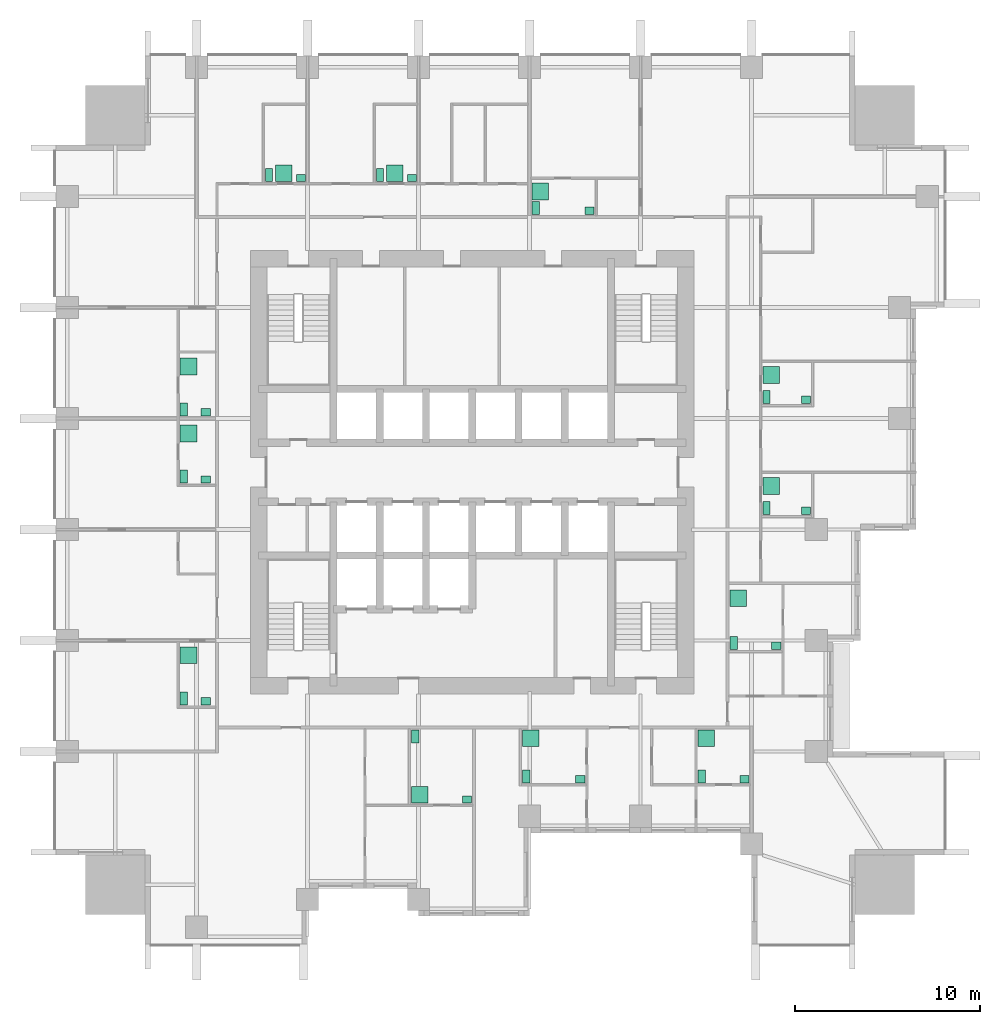
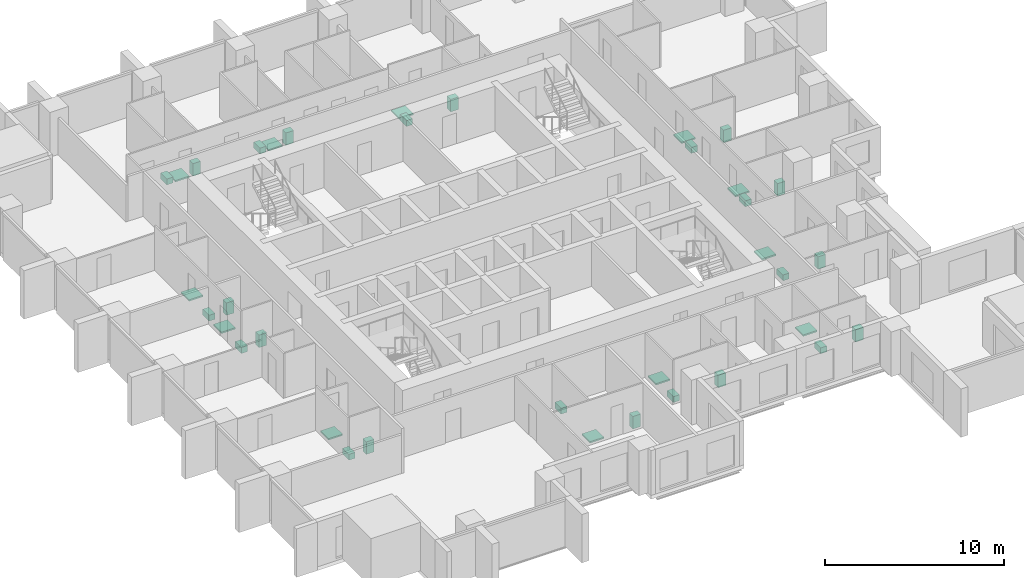
# One storey, part 10 of 10: 36 sanitary terminals.
"""IFC4 building model written with IfcOpenShell, lengths in metres."""

from ifc_helpers import new_model, si_unit, direction, frame, origin, origin_2d, place, context, subcontext, project, spatial, rectangle, extrude, element, save


model = new_model("IFC4")

# Units and contexts
model_context = context("Model", 3, precision=1e-05, world=origin(), true_north=direction((0.0, 1.0)))
body_context = subcontext(model_context, "Body", "Model", "MODEL_VIEW")
ifc_project = project(units=[si_unit("LENGTHUNIT", "METRE"), si_unit("AREAUNIT", "SQUARE_METRE"), si_unit("VOLUMEUNIT", "CUBIC_METRE"), si_unit("PLANEANGLEUNIT", "RADIAN"), si_unit("MASSUNIT", "GRAM", prefix="KILO")], contexts=[model_context])

# Site, building, storey
site_placement = place(None, origin())
site = spatial("IfcSite", under=ifc_project, at=site_placement, CompositionType="ELEMENT")
building_placement = place(site_placement, origin())
building = spatial("IfcBuilding", under=site, at=building_placement, Name="Amberfall Residences", CompositionType="ELEMENT")
storey_placement = place(building_placement, frame((0.0, 0.0, 46.60009765625)))
storey = spatial("IfcBuildingStorey", under=building, at=storey_placement, Name="L12", CompositionType="ELEMENT", Elevation=46.60009765625)

# Sanitary terminals
sanitary_terminal_1_placement = place(storey_placement, frame((71.409912109375, 31.215087890625, 0.0), z_axis=(0.0, 0.0, 1.0), x_axis=(1.0, 0.0, 0.0)))
element("IfcSanitaryTerminal", 1, at=sanitary_terminal_1_placement, inside=storey, Name="Water closet 1201", PredefinedType="TOILETPAN", context=body_context, shape_type="SweptSolid", body=[
    extrude(rectangle(XDim=0.39990234375, YDim=0.699951171875, at=origin_2d()), origin(), (0.0, 0.0, 1.0), 0.39990234375),
])
sanitary_terminal_2_placement = place(storey_placement, frame((74.215087890625, 27.81005859375, -0.000244140625), z_axis=(0.0, 0.0, 1.0), x_axis=(1.0, 0.0, 0.0)))
element("IfcSanitaryTerminal", 2, at=sanitary_terminal_2_placement, inside=storey, Name="Basin 1201", PredefinedType="WASHHANDBASIN", context=body_context, shape_type="SweptSolid", body=[
    extrude(rectangle(XDim=0.5, YDim=0.39990234375, at=origin_2d()), origin(), (0.0, 0.0, 1.0), 0.85009765625),
])
sanitary_terminal_3_placement = place(storey_placement, frame((71.659912109375, 28.06005859375, -0.000244140625), z_axis=(0.0, 0.0, 1.0), x_axis=(1.0, 0.0, 0.0)))
element("IfcSanitaryTerminal", 3, at=sanitary_terminal_3_placement, inside=storey, Name="Shower tray 1201", PredefinedType="SHOWER", context=body_context, shape_type="SweptSolid", body=[
    extrude(rectangle(XDim=0.89990234375, YDim=0.89990234375, at=origin_2d()), origin(), (0.0, 0.0, 1.0), 0.10009765625),
])
sanitary_terminal_4_placement = place(storey_placement, frame((77.409912109375, 29.06005859375, 0.0), z_axis=(0.0, 0.0, 1.0), x_axis=(1.0, 0.0, 0.0)))
element("IfcSanitaryTerminal", 4, at=sanitary_terminal_4_placement, inside=storey, Name="Water closet 1202", PredefinedType="TOILETPAN", context=body_context, shape_type="SweptSolid", body=[
    extrude(rectangle(XDim=0.39990234375, YDim=0.699951171875, at=origin_2d()), origin(), (0.0, 0.0, 1.0), 0.39990234375),
])
sanitary_terminal_5_placement = place(storey_placement, frame((80.340087890625, 28.909912109375, -0.000244140625), z_axis=(0.0, 0.0, 1.0), x_axis=(1.0, 0.0, 0.0)))
element("IfcSanitaryTerminal", 5, at=sanitary_terminal_5_placement, inside=storey, Name="Basin 1202", PredefinedType="WASHHANDBASIN", context=body_context, shape_type="SweptSolid", body=[
    extrude(rectangle(XDim=0.5, YDim=0.39990234375, at=origin_2d()), origin(), (0.0, 0.0, 1.0), 0.85009765625),
])
sanitary_terminal_6_placement = place(storey_placement, frame((77.659912109375, 31.114990234375, -0.000244140625), z_axis=(0.0, 0.0, 1.0), x_axis=(1.0, 0.0, 0.0)))
element("IfcSanitaryTerminal", 6, at=sanitary_terminal_6_placement, inside=storey, Name="Shower tray 1202", PredefinedType="SHOWER", context=body_context, shape_type="SweptSolid", body=[
    extrude(rectangle(XDim=0.89990234375, YDim=0.89990234375, at=origin_2d()), origin(), (0.0, 0.0, 1.0), 0.10009765625),
])
sanitary_terminal_7_placement = place(storey_placement, frame((86.909912109375, 29.06005859375, 0.0), z_axis=(0.0, 0.0, 1.0), x_axis=(1.0, 0.0, 0.0)))
element("IfcSanitaryTerminal", 7, at=sanitary_terminal_7_placement, inside=storey, Name="Water closet 1202", PredefinedType="TOILETPAN", context=body_context, shape_type="SweptSolid", body=[
    extrude(rectangle(XDim=0.39990234375, YDim=0.699951171875, at=origin_2d()), origin(), (0.0, 0.0, 1.0), 0.39990234375),
])
sanitary_terminal_8_placement = place(storey_placement, frame((89.215087890625, 28.909912109375, -0.000244140625), z_axis=(0.0, 0.0, 1.0), x_axis=(1.0, 0.0, 0.0)))
element("IfcSanitaryTerminal", 8, at=sanitary_terminal_8_placement, inside=storey, Name="Basin 1202", PredefinedType="WASHHANDBASIN", context=body_context, shape_type="SweptSolid", body=[
    extrude(rectangle(XDim=0.5, YDim=0.39990234375, at=origin_2d()), origin(), (0.0, 0.0, 1.0), 0.85009765625),
])
sanitary_terminal_9_placement = place(storey_placement, frame((87.159912109375, 31.114990234375, -0.000244140625), z_axis=(0.0, 0.0, 1.0), x_axis=(1.0, 0.0, 0.0)))
element("IfcSanitaryTerminal", 9, at=sanitary_terminal_9_placement, inside=storey, Name="Shower tray 1202", PredefinedType="SHOWER", context=body_context, shape_type="SweptSolid", body=[
    extrude(rectangle(XDim=0.89990234375, YDim=0.89990234375, at=origin_2d()), origin(), (0.0, 0.0, 1.0), 0.10009765625),
])
sanitary_terminal_10_placement = place(storey_placement, frame((88.635009765625, 36.260009765625, 0.0), z_axis=(0.0, 0.0, 1.0), x_axis=(1.0, 0.0, 0.0)))
element("IfcSanitaryTerminal", 10, at=sanitary_terminal_10_placement, inside=storey, Name="Water closet 1203", PredefinedType="TOILETPAN", context=body_context, shape_type="SweptSolid", body=[
    extrude(rectangle(XDim=0.39990234375, YDim=0.699951171875, at=origin_2d()), origin(), (0.0, 0.0, 1.0), 0.39990234375),
])
sanitary_terminal_11_placement = place(storey_placement, frame((90.93994140625, 36.110107421875, -0.000244140625), z_axis=(0.0, 0.0, 1.0), x_axis=(1.0, 0.0, 0.0)))
element("IfcSanitaryTerminal", 11, at=sanitary_terminal_11_placement, inside=storey, Name="Basin 1203", PredefinedType="WASHHANDBASIN", context=body_context, shape_type="SweptSolid", body=[
    extrude(rectangle(XDim=0.5, YDim=0.39990234375, at=origin_2d()), origin(), (0.0, 0.0, 1.0), 0.85009765625),
])
sanitary_terminal_12_placement = place(storey_placement, frame((88.885009765625, 38.6826171875, -0.000244140625), z_axis=(0.0, 0.0, 1.0), x_axis=(1.0, 0.0, 0.0)))
element("IfcSanitaryTerminal", 12, at=sanitary_terminal_12_placement, inside=storey, Name="Shower tray 1203", PredefinedType="SHOWER", context=body_context, shape_type="SweptSolid", body=[
    extrude(rectangle(XDim=0.89990234375, YDim=0.89990234375, at=origin_2d()), origin(), (0.0, 0.0, 1.0), 0.10009765625),
])
sanitary_terminal_13_placement = place(storey_placement, frame((90.409912109375, 43.56005859375, 0.0), z_axis=(0.0, 0.0, 1.0), x_axis=(1.0, 0.0, 0.0)))
element("IfcSanitaryTerminal", 13, at=sanitary_terminal_13_placement, inside=storey, Name="Water closet 1204", PredefinedType="TOILETPAN", context=body_context, shape_type="SweptSolid", body=[
    extrude(rectangle(XDim=0.39990234375, YDim=0.699951171875, at=origin_2d()), origin(), (0.0, 0.0, 1.0), 0.39990234375),
])
sanitary_terminal_14_placement = place(storey_placement, frame((92.5400390625, 43.409912109375, -0.000244140625), z_axis=(0.0, 0.0, 1.0), x_axis=(1.0, 0.0, 0.0)))
element("IfcSanitaryTerminal", 14, at=sanitary_terminal_14_placement, inside=storey, Name="Basin 1204", PredefinedType="WASHHANDBASIN", context=body_context, shape_type="SweptSolid", body=[
    extrude(rectangle(XDim=0.5, YDim=0.39990234375, at=origin_2d()), origin(), (0.0, 0.0, 1.0), 0.85009765625),
])
sanitary_terminal_15_placement = place(storey_placement, frame((90.659912109375, 44.757080078125, -0.000244140625), z_axis=(0.0, 0.0, 1.0), x_axis=(1.0, 0.0, 0.0)))
element("IfcSanitaryTerminal", 15, at=sanitary_terminal_15_placement, inside=storey, Name="Shower tray 1204", PredefinedType="SHOWER", context=body_context, shape_type="SweptSolid", body=[
    extrude(rectangle(XDim=0.89990234375, YDim=0.89990234375, at=origin_2d()), origin(), (0.0, 0.0, 1.0), 0.10009765625),
])
sanitary_terminal_16_placement = place(storey_placement, frame((90.409912109375, 49.56005859375, 0.0), z_axis=(0.0, 0.0, 1.0), x_axis=(1.0, 0.0, 0.0)))
element("IfcSanitaryTerminal", 16, at=sanitary_terminal_16_placement, inside=storey, Name="Water closet 1204", PredefinedType="TOILETPAN", context=body_context, shape_type="SweptSolid", body=[
    extrude(rectangle(XDim=0.39990234375, YDim=0.699951171875, at=origin_2d()), origin(), (0.0, 0.0, 1.0), 0.39990234375),
])
sanitary_terminal_17_placement = place(storey_placement, frame((92.5400390625, 49.409912109375, -0.000244140625), z_axis=(0.0, 0.0, 1.0), x_axis=(1.0, 0.0, 0.0)))
element("IfcSanitaryTerminal", 17, at=sanitary_terminal_17_placement, inside=storey, Name="Basin 1204", PredefinedType="WASHHANDBASIN", context=body_context, shape_type="SweptSolid", body=[
    extrude(rectangle(XDim=0.5, YDim=0.39990234375, at=origin_2d()), origin(), (0.0, 0.0, 1.0), 0.85009765625),
])
sanitary_terminal_18_placement = place(storey_placement, frame((90.659912109375, 50.757080078125, -0.000244140625), z_axis=(0.0, 0.0, 1.0), x_axis=(1.0, 0.0, 0.0)))
element("IfcSanitaryTerminal", 18, at=sanitary_terminal_18_placement, inside=storey, Name="Shower tray 1204", PredefinedType="SHOWER", context=body_context, shape_type="SweptSolid", body=[
    extrude(rectangle(XDim=0.89990234375, YDim=0.89990234375, at=origin_2d()), origin(), (0.0, 0.0, 1.0), 0.10009765625),
])
sanitary_terminal_19_placement = place(storey_placement, frame((63.510009765625, 61.56005859375, 0.0), z_axis=(0.0, 0.0, 1.0), x_axis=(1.0, 0.0, 0.0)))
element("IfcSanitaryTerminal", 19, at=sanitary_terminal_19_placement, inside=storey, Name="Water closet 1205", PredefinedType="TOILETPAN", context=body_context, shape_type="SweptSolid", body=[
    extrude(rectangle(XDim=0.39990234375, YDim=0.699951171875, at=origin_2d()), origin(), (0.0, 0.0, 1.0), 0.39990234375),
])
sanitary_terminal_20_placement = place(storey_placement, frame((65.239990234375, 61.409912109375, -0.000244140625), z_axis=(0.0, 0.0, 1.0), x_axis=(1.0, 0.0, 0.0)))
element("IfcSanitaryTerminal", 20, at=sanitary_terminal_20_placement, inside=storey, Name="Basin 1205", PredefinedType="WASHHANDBASIN", context=body_context, shape_type="SweptSolid", body=[
    extrude(rectangle(XDim=0.5, YDim=0.39990234375, at=origin_2d()), origin(), (0.0, 0.0, 1.0), 0.85009765625),
])
sanitary_terminal_21_placement = place(storey_placement, frame((64.30859375, 61.659912109375, -0.000244140625), z_axis=(0.0, 0.0, 1.0), x_axis=(1.0, 0.0, 0.0)))
element("IfcSanitaryTerminal", 21, at=sanitary_terminal_21_placement, inside=storey, Name="Shower tray 1205", PredefinedType="SHOWER", context=body_context, shape_type="SweptSolid", body=[
    extrude(rectangle(XDim=0.89990234375, YDim=0.89990234375, at=origin_2d()), origin(), (0.0, 0.0, 1.0), 0.10009765625),
])
sanitary_terminal_22_placement = place(storey_placement, frame((69.510009765625, 61.56005859375, 0.0), z_axis=(0.0, 0.0, 1.0), x_axis=(1.0, 0.0, 0.0)))
element("IfcSanitaryTerminal", 22, at=sanitary_terminal_22_placement, inside=storey, Name="Water closet 1205", PredefinedType="TOILETPAN", context=body_context, shape_type="SweptSolid", body=[
    extrude(rectangle(XDim=0.39990234375, YDim=0.699951171875, at=origin_2d()), origin(), (0.0, 0.0, 1.0), 0.39990234375),
])
sanitary_terminal_23_placement = place(storey_placement, frame((71.239990234375, 61.409912109375, -0.000244140625), z_axis=(0.0, 0.0, 1.0), x_axis=(1.0, 0.0, 0.0)))
element("IfcSanitaryTerminal", 23, at=sanitary_terminal_23_placement, inside=storey, Name="Basin 1205", PredefinedType="WASHHANDBASIN", context=body_context, shape_type="SweptSolid", body=[
    extrude(rectangle(XDim=0.5, YDim=0.39990234375, at=origin_2d()), origin(), (0.0, 0.0, 1.0), 0.85009765625),
])
sanitary_terminal_24_placement = place(storey_placement, frame((70.30859375, 61.659912109375, -0.000244140625), z_axis=(0.0, 0.0, 1.0), x_axis=(1.0, 0.0, 0.0)))
element("IfcSanitaryTerminal", 24, at=sanitary_terminal_24_placement, inside=storey, Name="Shower tray 1205", PredefinedType="SHOWER", context=body_context, shape_type="SweptSolid", body=[
    extrude(rectangle(XDim=0.89990234375, YDim=0.89990234375, at=origin_2d()), origin(), (0.0, 0.0, 1.0), 0.10009765625),
])
sanitary_terminal_25_placement = place(storey_placement, frame((77.93505859375, 59.784912109375, 0.0), z_axis=(0.0, 0.0, 1.0), x_axis=(1.0, 0.0, 0.0)))
element("IfcSanitaryTerminal", 25, at=sanitary_terminal_25_placement, inside=storey, Name="Water closet 1206", PredefinedType="TOILETPAN", context=body_context, shape_type="SweptSolid", body=[
    extrude(rectangle(XDim=0.39990234375, YDim=0.699951171875, at=origin_2d()), origin(), (0.0, 0.0, 1.0), 0.39990234375),
])
sanitary_terminal_26_placement = place(storey_placement, frame((80.840087890625, 59.635009765625, -0.000244140625), z_axis=(0.0, 0.0, 1.0), x_axis=(1.0, 0.0, 0.0)))
element("IfcSanitaryTerminal", 26, at=sanitary_terminal_26_placement, inside=storey, Name="Basin 1206", PredefinedType="WASHHANDBASIN", context=body_context, shape_type="SweptSolid", body=[
    extrude(rectangle(XDim=0.5, YDim=0.39990234375, at=origin_2d()), origin(), (0.0, 0.0, 1.0), 0.85009765625),
])
sanitary_terminal_27_placement = place(storey_placement, frame((78.18505859375, 60.680908203125, -0.000244140625), z_axis=(0.0, 0.0, 1.0), x_axis=(1.0, 0.0, 0.0)))
element("IfcSanitaryTerminal", 27, at=sanitary_terminal_27_placement, inside=storey, Name="Shower tray 1206", PredefinedType="SHOWER", context=body_context, shape_type="SweptSolid", body=[
    extrude(rectangle(XDim=0.89990234375, YDim=0.89990234375, at=origin_2d()), origin(), (0.0, 0.0, 1.0), 0.10009765625),
])
sanitary_terminal_28_placement = place(storey_placement, frame((58.909912109375, 33.260009765625, 0.0), z_axis=(0.0, 0.0, 1.0), x_axis=(1.0, 0.0, 0.0)))
element("IfcSanitaryTerminal", 28, at=sanitary_terminal_28_placement, inside=storey, Name="Water closet 1207", PredefinedType="TOILETPAN", context=body_context, shape_type="SweptSolid", body=[
    extrude(rectangle(XDim=0.39990234375, YDim=0.699951171875, at=origin_2d()), origin(), (0.0, 0.0, 1.0), 0.39990234375),
])
sanitary_terminal_29_placement = place(storey_placement, frame((60.089111328125, 33.110107421875, -0.000244140625), z_axis=(0.0, 0.0, 1.0), x_axis=(1.0, 0.0, 0.0)))
element("IfcSanitaryTerminal", 29, at=sanitary_terminal_29_placement, inside=storey, Name="Basin 1207", PredefinedType="WASHHANDBASIN", context=body_context, shape_type="SweptSolid", body=[
    extrude(rectangle(XDim=0.5, YDim=0.39990234375, at=origin_2d()), origin(), (0.0, 0.0, 1.0), 0.85009765625),
])
sanitary_terminal_30_placement = place(storey_placement, frame((59.159912109375, 35.614501953125, -0.000244140625), z_axis=(0.0, 0.0, 1.0), x_axis=(1.0, 0.0, 0.0)))
element("IfcSanitaryTerminal", 30, at=sanitary_terminal_30_placement, inside=storey, Name="Shower tray 1207", PredefinedType="SHOWER", context=body_context, shape_type="SweptSolid", body=[
    extrude(rectangle(XDim=0.89990234375, YDim=0.89990234375, at=origin_2d()), origin(), (0.0, 0.0, 1.0), 0.10009765625),
])
sanitary_terminal_31_placement = place(storey_placement, frame((58.909912109375, 45.260009765625, 0.0), z_axis=(0.0, 0.0, 1.0), x_axis=(1.0, 0.0, 0.0)))
element("IfcSanitaryTerminal", 31, at=sanitary_terminal_31_placement, inside=storey, Name="Water closet 1207", PredefinedType="TOILETPAN", context=body_context, shape_type="SweptSolid", body=[
    extrude(rectangle(XDim=0.39990234375, YDim=0.699951171875, at=origin_2d()), origin(), (0.0, 0.0, 1.0), 0.39990234375),
])
sanitary_terminal_32_placement = place(storey_placement, frame((60.089111328125, 45.110107421875, -0.000244140625), z_axis=(0.0, 0.0, 1.0), x_axis=(1.0, 0.0, 0.0)))
element("IfcSanitaryTerminal", 32, at=sanitary_terminal_32_placement, inside=storey, Name="Basin 1207", PredefinedType="WASHHANDBASIN", context=body_context, shape_type="SweptSolid", body=[
    extrude(rectangle(XDim=0.5, YDim=0.39990234375, at=origin_2d()), origin(), (0.0, 0.0, 1.0), 0.85009765625),
])
sanitary_terminal_33_placement = place(storey_placement, frame((59.159912109375, 47.591796875, -0.000244140625), z_axis=(0.0, 0.0, 1.0), x_axis=(1.0, 0.0, 0.0)))
element("IfcSanitaryTerminal", 33, at=sanitary_terminal_33_placement, inside=storey, Name="Shower tray 1207", PredefinedType="SHOWER", context=body_context, shape_type="SweptSolid", body=[
    extrude(rectangle(XDim=0.89990234375, YDim=0.89990234375, at=origin_2d()), origin(), (0.0, 0.0, 1.0), 0.10009765625),
])
sanitary_terminal_34_placement = place(storey_placement, frame((58.909912109375, 48.885009765625, 0.0), z_axis=(0.0, 0.0, 1.0), x_axis=(1.0, 0.0, 0.0)))
element("IfcSanitaryTerminal", 34, at=sanitary_terminal_34_placement, inside=storey, Name="Water closet 1208", PredefinedType="TOILETPAN", context=body_context, shape_type="SweptSolid", body=[
    extrude(rectangle(XDim=0.39990234375, YDim=0.699951171875, at=origin_2d()), origin(), (0.0, 0.0, 1.0), 0.39990234375),
])
sanitary_terminal_35_placement = place(storey_placement, frame((60.089111328125, 48.735107421875, -0.000244140625), z_axis=(0.0, 0.0, 1.0), x_axis=(1.0, 0.0, 0.0)))
element("IfcSanitaryTerminal", 35, at=sanitary_terminal_35_placement, inside=storey, Name="Basin 1208", PredefinedType="WASHHANDBASIN", context=body_context, shape_type="SweptSolid", body=[
    extrude(rectangle(XDim=0.5, YDim=0.39990234375, at=origin_2d()), origin(), (0.0, 0.0, 1.0), 0.85009765625),
])
sanitary_terminal_36_placement = place(storey_placement, frame((59.159912109375, 51.216796875, -0.000244140625), z_axis=(0.0, 0.0, 1.0), x_axis=(1.0, 0.0, 0.0)))
element("IfcSanitaryTerminal", 36, at=sanitary_terminal_36_placement, inside=storey, Name="Shower tray 1208", PredefinedType="SHOWER", context=body_context, shape_type="SweptSolid", body=[
    extrude(rectangle(XDim=0.89990234375, YDim=0.89990234375, at=origin_2d()), origin(), (0.0, 0.0, 1.0), 0.10009765625),
])

save(model, "model.ifc")
